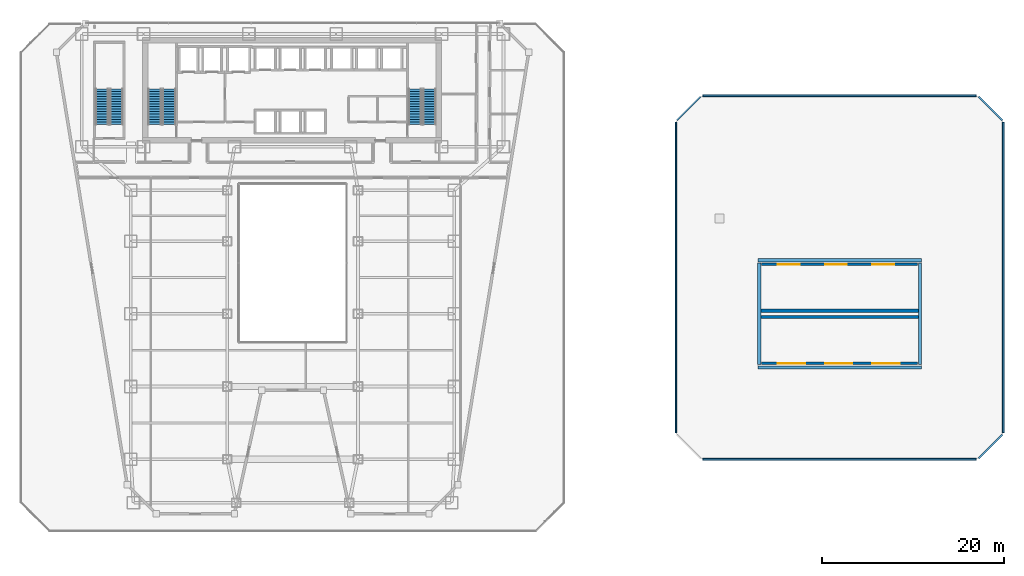
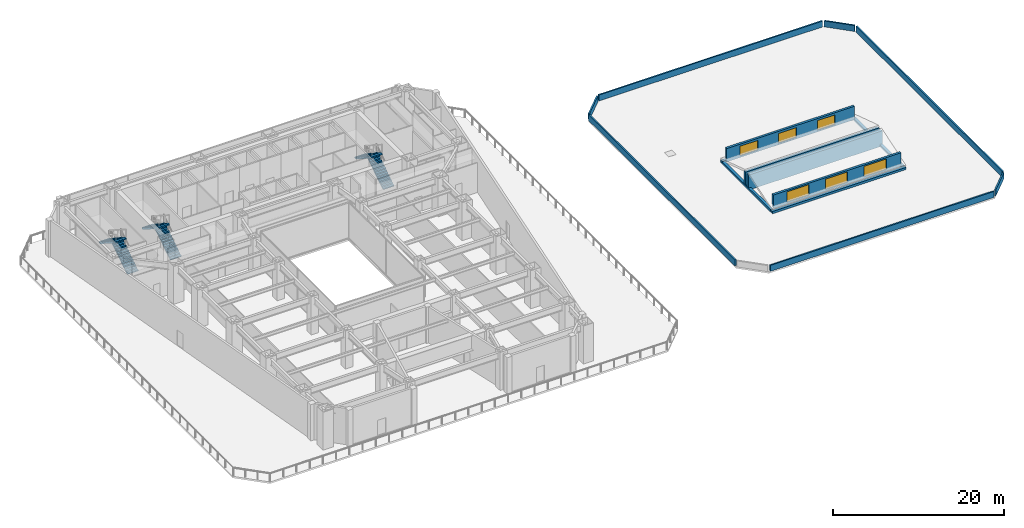
# One storey, part 24 of 29: 15 walls, 6 stair flights, 6 windows, 6 openings, 3 elements without a shape of their own.
"""IFC4 building model written with IfcOpenShell, lengths in metres."""

import ifcopenshell
import ifcopenshell.guid

model = None  # the IFC model being written
_history = None  # IfcOwnerHistory: only IFC2X3 demands one
_inside = {}  # id of a spatial element -> (the spatial element, [elements in it])
_under = {}  # id of a project, library or spatial element -> (it, [spatial elements below it])
_declared = {}  # id of a project -> (the project, [libraries it declares])
_typed = {}  # id of a type object -> (the type object, [elements of that type])
_made_of = {}  # id of a material, layer set ... -> (it, [elements and type objects made of it])


def new_model(schema):
    """Start an empty IFC model of exactly this schema.

    Asked for "IFC4X3", IfcOpenShell would pick the latest addendum, in which some entities
    have other attributes; the version numbers below select the first issue.
    IFC2X3 requires an IfcOwnerHistory on every rooted entity: one is made here for all.
    """
    global model, _history
    if schema == "IFC4X3":
        model = ifcopenshell.file(schema_version=(4, 3, 0, 0))
    else:
        model = ifcopenshell.file(schema=schema)
    _inside.clear()
    _under.clear()
    _declared.clear()
    _typed.clear()
    _made_of.clear()
    _history = None
    if model.schema == "IFC2X3":
        org = make("IfcOrganization", Name="unknown")
        user = make(
            "IfcPersonAndOrganization",
            ThePerson=make("IfcPerson", FamilyName="unknown"),
            TheOrganization=org,
        )
        app = make(
            "IfcApplication",
            ApplicationDeveloper=org,
            Version="unknown",
            ApplicationFullName="unknown",
            ApplicationIdentifier="unknown",
        )
        _history = make(
            "IfcOwnerHistory",
            OwningUser=user,
            OwningApplication=app,
            ChangeAction="ADDED",
            CreationDate=0,
        )
    return model


def make(cls, **values):
    """One entity of the class cls with the attributes given. An attribute that is None is left unset."""
    return model.create_entity(
        cls, **{name: value for name, value in values.items() if value is not None}
    )


def rooted(cls, **values):
    """An entity with a GlobalId (a new one), such as an element, a storey or a relation."""
    return make(cls, GlobalId=ifcopenshell.guid.new(), OwnerHistory=_history, **values)


def si_unit(unit_type, name, prefix=None):
    """IfcSIUnit, for example si_unit("LENGTHUNIT", "METRE", prefix="MILLI")."""
    return make("IfcSIUnit", UnitType=unit_type, Prefix=prefix, Name=name)


def assignment(units):
    """IfcUnitAssignment: the units of a project."""
    return None if units is None else make("IfcUnitAssignment", Units=units)


def point(xyz):
    """IfcCartesianPoint."""
    return None if xyz is None else make("IfcCartesianPoint", Coordinates=xyz)


def direction(xyz):
    """IfcDirection."""
    return None if xyz is None else make("IfcDirection", DirectionRatios=xyz)


def frame(location, z_axis=None, x_axis=None):
    """IfcAxis2Placement3D, a coordinate frame: its origin and axes. An axis left out is left unset."""
    return make(
        "IfcAxis2Placement3D",
        Location=point(location),
        Axis=direction(z_axis),
        RefDirection=direction(x_axis),
    )


def frame_2d(location, x_axis=None):
    """IfcAxis2Placement2D, a coordinate frame in the plane: its origin and x axis."""
    return make(
        "IfcAxis2Placement2D", Location=point(location), RefDirection=direction(x_axis)
    )


def origin():
    """The frame at (0, 0, 0) with its axes left unset."""
    return frame((0.0, 0.0, 0.0))


def place(relative_to, where):
    """IfcLocalPlacement: puts the frame where relative to a parent placement (None: the world)."""
    return make(
        "IfcLocalPlacement", PlacementRelTo=relative_to, RelativePlacement=where
    )


def context(
    kind, dimensions, precision=None, world=None, true_north=None, identifier=None
):
    """IfcGeometricRepresentationContext, for example the 3D "Model" context."""
    return make(
        "IfcGeometricRepresentationContext",
        ContextIdentifier=identifier,
        ContextType=kind,
        CoordinateSpaceDimension=dimensions,
        Precision=precision,
        WorldCoordinateSystem=world,
        TrueNorth=true_north,
    )


def subcontext(parent, identifier, kind, view, scale=None):
    """IfcGeometricRepresentationSubContext, for example "Body" below "Model"."""
    return make(
        "IfcGeometricRepresentationSubContext",
        ContextIdentifier=identifier,
        ContextType=kind,
        ParentContext=parent,
        TargetScale=scale,
        TargetView=view,
    )


def project(units=None, contexts=None):
    """IfcProject with its units and contexts."""
    return rooted(
        "IfcProject",
        Name="project",
        RepresentationContexts=contexts,
        UnitsInContext=assignment(units),
    )


def spatial(cls, under=None, at=None, **own):
    """A site, building, storey or space (cls), placed at a placement, below another one or the project."""
    s = rooted(cls, ObjectPlacement=at, **own)
    if under is not None:
        _under.setdefault(under.id(), (under, []))[1].append(s)
    return s


def polyline(points):
    """IfcPolyline through the points."""
    return make("IfcPolyline", Points=[point(p) for p in points])


def profile(cls, at=None, kind="AREA", **sizes):
    """A parametric profile (cls). Its sizes go by their IFC names, for example OverallWidth=200.0."""
    return make(cls, ProfileType=kind, Position=at, **sizes)


def rectangle(**sizes):
    """IfcRectangleProfileDef."""
    return profile("IfcRectangleProfileDef", **sizes)


def outline(outer, holes=None, kind="AREA"):
    """IfcArbitraryClosedProfileDef: a profile drawn as a closed curve; with holes, ...WithVoids."""
    if holes is None:
        return make("IfcArbitraryClosedProfileDef", ProfileType=kind, OuterCurve=outer)
    return make(
        "IfcArbitraryProfileDefWithVoids",
        ProfileType=kind,
        OuterCurve=outer,
        InnerCurves=holes,
    )


def extrude(swept, where, along, depth):
    """IfcExtrudedAreaSolid: the profile swept, set in the frame where, extruded along a direction by depth."""
    return make(
        "IfcExtrudedAreaSolid",
        SweptArea=swept,
        Position=where,
        ExtrudedDirection=direction(along),
        Depth=depth,
    )


def shape(context_of_items, identifier, shape_type, items):
    """IfcShapeRepresentation: the items that make up one representation, for example the "Body"."""
    return make(
        "IfcShapeRepresentation",
        ContextOfItems=context_of_items,
        RepresentationIdentifier=identifier,
        RepresentationType=shape_type,
        Items=items,
    )


def material(Name=None, Category=None):
    """IfcMaterial."""
    return make("IfcMaterial", Name=Name, Category=Category)


def layer(
    of_material, thickness, ventilated=None, Name=None, Category=None, Priority=None
):
    """IfcMaterialLayer: one layer of a wall or slab, of a material (None: an air gap)."""
    return make(
        "IfcMaterialLayer",
        Material=of_material,
        LayerThickness=thickness,
        IsVentilated=ventilated,
        Name=Name,
        Category=Category,
        Priority=Priority,
    )


def layer_set(layers, Name=None):
    """IfcMaterialLayerSet."""
    return make("IfcMaterialLayerSet", MaterialLayers=layers, LayerSetName=Name)


def made_of(thing, what):
    """Note that an element or type object is made of a material, layer set ...; save() writes the relation."""
    if what is not None:
        _made_of.setdefault(what.id(), (what, []))[1].append(thing)
    return thing


def type_object(cls, material=None, **own):
    """A type object (cls), such as IfcWallType, which elements share."""
    return made_of(rooted(cls, **own), material)


def element(
    cls,
    number,
    at=None,
    inside=None,
    cuts=None,
    type_object=None,
    material=None,
    context=None,
    identifier="Body",
    shape_type=None,
    held_by="IfcProductDefinitionShape",
    body=None,
    shapes=None,
    **own,
):
    """One element of the class cls, such as IfcWall. Its Tag is "e" and its number.

    at: its placement. inside: the storey or other place that contains it. cuts: it is an
    opening in that element (IfcRelVoidsElement). A single representation is given by context,
    identifier, shape_type and body (its items); several are given by shapes. held_by: the class
    of the entity that holds the representations. save() writes the other relations.
    """
    e = rooted(cls, Tag="e%d" % number, ObjectPlacement=at, **own)
    if body is not None:
        shapes = [shape(context, identifier, shape_type, body)]
    if shapes is not None:
        e.Representation = make(held_by, Representations=shapes)
    if inside is not None:
        _inside.setdefault(inside.id(), (inside, []))[1].append(e)
    if cuts is not None:
        rooted(
            "IfcRelVoidsElement", RelatingBuildingElement=cuts, RelatedOpeningElement=e
        )
    if type_object is not None:
        _typed.setdefault(type_object.id(), (type_object, []))[1].append(e)
    return made_of(e, material)


def fill(opening, filler):
    """IfcRelFillsElement: the door or window that sits in an opening."""
    return rooted(
        "IfcRelFillsElement",
        RelatingOpeningElement=opening,
        RelatedBuildingElement=filler,
    )


def aggregate(whole, parts):
    """IfcRelAggregates: a whole, such as a stair, and the parts it consists of."""
    return rooted("IfcRelAggregates", RelatingObject=whole, RelatedObjects=parts)


def save(model, path):
    """Write the relations noted so far, then the file.

    IfcRelAggregates (storeys below a building ...), IfcRelContainedInSpatialStructure (elements
    in a storey), IfcRelDefinesByType, IfcRelAssociatesMaterial and IfcRelDeclares: one each for
    every whole, place, type object, material and project.
    """
    for whole, parts in _under.values():
        aggregate(whole, parts)
    for where, things in _inside.values():
        rooted(
            "IfcRelContainedInSpatialStructure",
            RelatedElements=things,
            RelatingStructure=where,
        )
    for kind, things in _typed.values():
        rooted("IfcRelDefinesByType", RelatedObjects=things, RelatingType=kind)
    for what, things in _made_of.values():
        rooted("IfcRelAssociatesMaterial", RelatedObjects=things, RelatingMaterial=what)
    for by, libraries in _declared.values():
        rooted("IfcRelDeclares", RelatingContext=by, RelatedDefinitions=libraries)
    model.write(path)


model = new_model("IFC4")

# Units and contexts
model_context = context("Model", 3, precision=1e-05, world=origin(), true_north=direction((0.0, 1.0)))
body_context = subcontext(model_context, "Body", "Model", "MODEL_VIEW")
ifc_project = project(units=[si_unit("LENGTHUNIT", "METRE"), si_unit("AREAUNIT", "SQUARE_METRE"), si_unit("VOLUMEUNIT", "CUBIC_METRE"), si_unit("PLANEANGLEUNIT", "RADIAN"), si_unit("MASSUNIT", "GRAM", prefix="KILO")], contexts=[model_context])

# Site, building, storey
site_placement = place(None, origin())
site = spatial("IfcSite", under=ifc_project, at=site_placement, CompositionType="ELEMENT")
building_placement = place(site_placement, origin())
building = spatial("IfcBuilding", under=site, at=building_placement, Name="Saevonmaru Cultural Tower", CompositionType="ELEMENT")
storey_placement = place(building_placement, frame((0.0, 0.0, 27.60009765625)))
storey = spatial("IfcBuildingStorey", under=building, at=storey_placement, Name="L05", CompositionType="ELEMENT", Elevation=27.60009765625)

# Wall, openings, windows
ifc_material_1 = material(Name="Warm Limestone Precast Concrete C40/50", Category="masonry")
ifc_layer_1 = layer(ifc_material_1, 0.300048828125, Name="Warm Limestone Precast Concrete C40/50")
ifc_layer_set_1 = layer_set([ifc_layer_1], Name="Warm Limestone Precast Concrete C40/50")
wall_type_1 = type_object("IfcWallType", Name="WL-EXT-LIB-300", PredefinedType="STANDARD", material=ifc_layer_set_1)
wall_1_placement = place(storey_placement, frame((81.60009765625, 18.550048828125, 0.349853515625), z_axis=(0.0, 0.0, 1.0), x_axis=(1.0, 0.0, 0.0)))
wall_1 = element("IfcWall", 1, at=wall_1_placement, inside=storey, type_object=wall_type_1, Name="Library Vaulted Reading Hall Clerestory Wall S", PredefinedType="STANDARD", context=body_context, shape_type="SweptSolid", body=[
    extrude(rectangle(XDim=17.199951171875, YDim=0.300048828125, at=frame_2d((8.60009765625, 0.0))), origin(), (0.0, 0.0, 1.0), 1.900146484375),
])
opening_1_placement = place(wall_1_placement, frame((1.800048828125, 0.0, 0.199951171875)))
opening_1 = element("IfcOpeningElement", 2, at=opening_1_placement, cuts=wall_1, Name="Opening W-4", PredefinedType="OPENING", context=body_context, shape_type="SweptSolid", body=[
    extrude(rectangle(XDim=3.0, YDim=1.5, at=frame_2d((1.5, 0.75))), frame((0.0, 0.16015625, 0.0), z_axis=(0.0, -1.0, 0.0), x_axis=(1.0, 0.0, 0.0)), (0.0, 0.0, 1.0), 0.320068359375),
])
opening_2_placement = place(wall_1_placement, frame((7.0, 0.0, 0.199951171875)))
opening_2 = element("IfcOpeningElement", 3, at=opening_2_placement, cuts=wall_1, Name="Opening W-4", PredefinedType="OPENING", context=body_context, shape_type="SweptSolid", body=[
    extrude(rectangle(XDim=3.0, YDim=1.5, at=frame_2d((1.5, 0.75))), frame((0.0, 0.16015625, 0.0), z_axis=(0.0, -1.0, 0.0), x_axis=(1.0, 0.0, 0.0)), (0.0, 0.0, 1.0), 0.320068359375),
])
opening_3_placement = place(wall_1_placement, frame((12.199951171875, 0.0, 0.199951171875)))
opening_3 = element("IfcOpeningElement", 4, at=opening_3_placement, cuts=wall_1, Name="Opening W-4", PredefinedType="OPENING", context=body_context, shape_type="SweptSolid", body=[
    extrude(rectangle(XDim=3.0, YDim=1.5, at=frame_2d((1.5, 0.75))), frame((0.0, 0.16015625, 0.0), z_axis=(0.0, -1.0, 0.0), x_axis=(1.0, 0.0, 0.0)), (0.0, 0.0, 1.0), 0.320068359375),
])
ifc_material_2 = material(Name="Satin Bronze Anodised Aluminium", Category="aluminium")
window_type_1 = type_object("IfcWindowType", Name="WN-CLER-3000x1500", PartitioningType="TRIPLE_PANEL_HORIZONTAL", PredefinedType="WINDOW", material=ifc_material_2)
window_1_placement = place(opening_1_placement, origin())
window_1 = element("IfcWindow", 5, at=window_1_placement, inside=storey, type_object=window_type_1, Name="Library Clerestory Window S-1", OverallHeight=1.5, OverallWidth=3.0, PartitioningType="TRIPLE_PANEL_HORIZONTAL", PredefinedType="WINDOW", context=body_context, shape_type="SweptSolid", body=[
    extrude(rectangle(XDim=3.0, YDim=1.5, at=frame_2d((1.5, 0.75))), frame((0.0, 0.030029296875, 0.0), z_axis=(0.0, -1.0, 0.0), x_axis=(1.0, 0.0, 0.0)), (0.0, 0.0, 1.0), 0.06005859375),
])
fill(opening_1, window_1)
window_2_placement = place(opening_2_placement, origin())
window_2 = element("IfcWindow", 6, at=window_2_placement, inside=storey, type_object=window_type_1, Name="Library Clerestory Window S-2", OverallHeight=1.5, OverallWidth=3.0, PartitioningType="TRIPLE_PANEL_HORIZONTAL", PredefinedType="WINDOW", context=body_context, shape_type="SweptSolid", body=[
    extrude(rectangle(XDim=3.0, YDim=1.5, at=frame_2d((1.5, 0.75))), frame((0.0, 0.030029296875, 0.0), z_axis=(0.0, -1.0, 0.0), x_axis=(1.0, 0.0, 0.0)), (0.0, 0.0, 1.0), 0.06005859375),
])
fill(opening_2, window_2)
window_3_placement = place(opening_3_placement, origin())
window_3 = element("IfcWindow", 7, at=window_3_placement, inside=storey, type_object=window_type_1, Name="Library Clerestory Window S-3", OverallHeight=1.5, OverallWidth=3.0, PartitioningType="TRIPLE_PANEL_HORIZONTAL", PredefinedType="WINDOW", context=body_context, shape_type="SweptSolid", body=[
    extrude(rectangle(XDim=3.0, YDim=1.5, at=frame_2d((1.5, 0.75))), frame((0.0, 0.030029296875, 0.0), z_axis=(0.0, -1.0, 0.0), x_axis=(1.0, 0.0, 0.0)), (0.0, 0.0, 1.0), 0.06005859375),
])
fill(opening_3, window_3)

wall_2_placement = place(storey_placement, frame((81.60009765625, 29.449951171875, 0.349853515625), z_axis=(0.0, 0.0, 1.0), x_axis=(1.0, 0.0, 0.0)))
wall_2 = element("IfcWall", 8, at=wall_2_placement, inside=storey, type_object=wall_type_1, Name="Library Vaulted Reading Hall Clerestory Wall N", PredefinedType="STANDARD", context=body_context, shape_type="SweptSolid", body=[
    extrude(rectangle(XDim=17.199951171875, YDim=0.300048828125, at=frame_2d((8.60009765625, 0.0))), origin(), (0.0, 0.0, 1.0), 1.900146484375),
])
opening_4_placement = place(wall_2_placement, frame((1.800048828125, 0.0, 0.199951171875)))
opening_4 = element("IfcOpeningElement", 9, at=opening_4_placement, cuts=wall_2, Name="Opening W-4B", PredefinedType="OPENING", context=body_context, shape_type="SweptSolid", body=[
    extrude(rectangle(XDim=2.39990234375, YDim=1.39990234375, at=frame_2d((1.199951171875, 0.699951171875))), frame((0.0, 0.16015625, 0.0), z_axis=(0.0, -1.0, 0.0), x_axis=(1.0, 0.0, 0.0)), (0.0, 0.0, 1.0), 0.320068359375),
])
opening_5_placement = place(wall_2_placement, frame((7.0, 0.0, 0.199951171875)))
opening_5 = element("IfcOpeningElement", 10, at=opening_5_placement, cuts=wall_2, Name="Opening W-4B", PredefinedType="OPENING", context=body_context, shape_type="SweptSolid", body=[
    extrude(rectangle(XDim=2.39990234375, YDim=1.39990234375, at=frame_2d((1.199951171875, 0.699951171875))), frame((0.0, 0.16015625, 0.0), z_axis=(0.0, -1.0, 0.0), x_axis=(1.0, 0.0, 0.0)), (0.0, 0.0, 1.0), 0.320068359375),
])
opening_6_placement = place(wall_2_placement, frame((12.199951171875, 0.0, 0.199951171875)))
opening_6 = element("IfcOpeningElement", 11, at=opening_6_placement, cuts=wall_2, Name="Opening W-4B", PredefinedType="OPENING", context=body_context, shape_type="SweptSolid", body=[
    extrude(rectangle(XDim=2.39990234375, YDim=1.39990234375, at=frame_2d((1.199951171875, 0.699951171875))), frame((0.0, 0.16015625, 0.0), z_axis=(0.0, -1.0, 0.0), x_axis=(1.0, 0.0, 0.0)), (0.0, 0.0, 1.0), 0.320068359375),
])
window_type_2 = type_object("IfcWindowType", Name="WN-CLER-2400x1400", PartitioningType="DOUBLE_PANEL_HORIZONTAL", PredefinedType="WINDOW", material=ifc_material_2)
window_4_placement = place(opening_4_placement, origin())
window_4 = element("IfcWindow", 12, at=window_4_placement, inside=storey, type_object=window_type_2, Name="Library Clerestory Window N-1", OverallHeight=1.39990234375, OverallWidth=2.39990234375, PartitioningType="DOUBLE_PANEL_HORIZONTAL", PredefinedType="WINDOW", context=body_context, shape_type="SweptSolid", body=[
    extrude(rectangle(XDim=2.39990234375, YDim=1.39990234375, at=frame_2d((1.199951171875, 0.699951171875))), frame((0.0, 0.030029296875, 0.0), z_axis=(0.0, -1.0, 0.0), x_axis=(1.0, 0.0, 0.0)), (0.0, 0.0, 1.0), 0.06005859375),
])
fill(opening_4, window_4)
window_5_placement = place(opening_5_placement, origin())
window_5 = element("IfcWindow", 13, at=window_5_placement, inside=storey, type_object=window_type_2, Name="Library Clerestory Window N-2", OverallHeight=1.39990234375, OverallWidth=2.39990234375, PartitioningType="DOUBLE_PANEL_HORIZONTAL", PredefinedType="WINDOW", context=body_context, shape_type="SweptSolid", body=[
    extrude(rectangle(XDim=2.39990234375, YDim=1.39990234375, at=frame_2d((1.199951171875, 0.699951171875))), frame((0.0, 0.030029296875, 0.0), z_axis=(0.0, -1.0, 0.0), x_axis=(1.0, 0.0, 0.0)), (0.0, 0.0, 1.0), 0.06005859375),
])
fill(opening_5, window_5)
window_6_placement = place(opening_6_placement, origin())
window_6 = element("IfcWindow", 14, at=window_6_placement, inside=storey, type_object=window_type_2, Name="Library Clerestory Window N-3", OverallHeight=1.39990234375, OverallWidth=2.39990234375, PartitioningType="DOUBLE_PANEL_HORIZONTAL", PredefinedType="WINDOW", context=body_context, shape_type="SweptSolid", body=[
    extrude(rectangle(XDim=2.39990234375, YDim=1.39990234375, at=frame_2d((1.199951171875, 0.699951171875))), frame((0.0, 0.030029296875, 0.0), z_axis=(0.0, -1.0, 0.0), x_axis=(1.0, 0.0, 0.0)), (0.0, 0.0, 1.0), 0.06005859375),
])
fill(opening_6, window_6)

# Walls
ifc_material_3 = material(Name="Precast concrete C40/50", Category="concrete")
ifc_layer_2 = layer(ifc_material_3, 0.18994140625, Name="Precast concrete C40/50")
ifc_layer_set_2 = layer_set([ifc_layer_2], Name="Precast concrete C40/50")
wall_type_2 = type_object("IfcWallType", Name="WL-PARAPET-190", PredefinedType="PARAPET", material=ifc_layer_set_2)
wall_3_placement = place(storey_placement, frame((75.139892578125, 8.0, 0.0), z_axis=(0.0, 0.0, 1.0), x_axis=(1.0, 0.0, 0.0)))
element("IfcWall", 15, at=wall_3_placement, inside=storey, type_object=wall_type_2, Name="Central Library Roof Parapet Wall E2", PredefinedType="PARAPET", context=body_context, shape_type="SweptSolid", body=[
    extrude(rectangle(XDim=30.1201171875, YDim=0.18994140625, at=frame_2d((15.06005859375, 0.0))), origin(), (0.0, 0.0, 1.0), 0.849853515625),
])
wall_4_placement = place(storey_placement, frame((105.4990234375, 8.09912109375, 0.0), z_axis=(0.0, 0.0, 1.0), x_axis=(0.707139954548, 0.707073606269, 0.0)))
element("IfcWall", 16, at=wall_4_placement, inside=storey, type_object=wall_type_2, Name="Central Library Roof Parapet Wall E3", PredefinedType="PARAPET", context=body_context, shape_type="SweptSolid", body=[
    extrude(rectangle(XDim=3.6796875, YDim=0.18994140625, at=frame_2d((1.83984375, 0.0))), origin(), (0.0, 0.0, 1.0), 0.849853515625),
])
wall_5_placement = place(storey_placement, frame((108.199951171875, 10.93994140625, 0.0), z_axis=(0.0, 0.0, 1.0), x_axis=(0.0, 1.0, 0.0)))
element("IfcWall", 17, at=wall_5_placement, inside=storey, type_object=wall_type_2, Name="Central Library Roof Parapet Wall E4", PredefinedType="PARAPET", context=body_context, shape_type="SweptSolid", body=[
    extrude(rectangle(XDim=34.1201171875, YDim=0.18994140625, at=frame_2d((17.06005859375, 0.0))), origin(), (0.0, 0.0, 1.0), 0.849853515625),
])
wall_6_placement = place(storey_placement, frame((108.10107421875, 45.299072265625, 0.0), z_axis=(0.0, 0.0, 1.0), x_axis=(-0.707139954548, 0.707073606269, 0.0)))
element("IfcWall", 18, at=wall_6_placement, inside=storey, type_object=wall_type_2, Name="Central Library Roof Parapet Wall E5", PredefinedType="PARAPET", context=body_context, shape_type="SweptSolid", body=[
    extrude(rectangle(XDim=3.6796875, YDim=0.18994140625, at=frame_2d((1.83984375, 0.0))), origin(), (0.0, 0.0, 1.0), 0.849853515625),
])
wall_7_placement = place(storey_placement, frame((105.260009765625, 48.0, 0.0), z_axis=(0.0, 0.0, 1.0), x_axis=(-1.0, 0.0, 0.0)))
element("IfcWall", 19, at=wall_7_placement, inside=storey, type_object=wall_type_2, Name="Central Library Roof Parapet Wall E6", PredefinedType="PARAPET", context=body_context, shape_type="SweptSolid", body=[
    extrude(rectangle(XDim=30.1201171875, YDim=0.18994140625, at=frame_2d((15.06005859375, 0.0))), origin(), (0.0, 0.0, 1.0), 0.849853515625),
])
wall_8_placement = place(storey_placement, frame((74.90087890625, 47.90087890625, 0.0), z_axis=(0.0, 0.0, 1.0), x_axis=(-0.707106781187, -0.707106781187, 0.0)))
element("IfcWall", 20, at=wall_8_placement, inside=storey, type_object=wall_type_2, Name="Central Library Roof Parapet Wall E7", PredefinedType="PARAPET", context=body_context, shape_type="SweptSolid", body=[
    extrude(rectangle(XDim=3.679443359375, YDim=0.18994140625, at=frame_2d((1.83984375, 0.0))), origin(), (0.0, 0.0, 1.0), 0.849853515625),
])
wall_9_placement = place(storey_placement, frame((72.199951171875, 45.06005859375, 0.0), z_axis=(0.0, 0.0, 1.0), x_axis=(0.0, -1.0, 0.0)))
element("IfcWall", 21, at=wall_9_placement, inside=storey, type_object=wall_type_2, Name="Central Library Roof Parapet Wall E8", PredefinedType="PARAPET", context=body_context, shape_type="SweptSolid", body=[
    extrude(rectangle(XDim=34.1201171875, YDim=0.18994140625, at=frame_2d((17.06005859375, 0.0))), origin(), (0.0, 0.0, 1.0), 0.849853515625),
])
ifc_material_4 = material(Name="Concrete C40/50", Category="concrete")
ifc_layer_3 = layer(ifc_material_4, 0.35009765625, Name="Concrete C40/50")
ifc_layer_set_3 = layer_set([ifc_layer_3], Name="Concrete C40/50")
wall_type_3 = type_object("IfcWallType", Name="WL-VAULT-350", PredefinedType="SHEAR", material=ifc_layer_set_3)
wall_10_placement = place(storey_placement, frame((81.199951171875, 18.10009765625, 0.0), z_axis=(0.0, 0.0, 1.0), x_axis=(1.0, 0.0, 0.0)))
element("IfcWall", 22, at=wall_10_placement, inside=storey, type_object=wall_type_3, Name="L05 Library Vault Clerestory Support Wall S0", PredefinedType="SHEAR", context=body_context, shape_type="SweptSolid", body=[
    extrude(rectangle(XDim=18.0, YDim=0.35009765625, at=frame_2d((9.0, 0.0))), origin(), (0.0, 0.0, 1.0), 0.31982421875),
])
for number, where, z_axis, x_axis, name in (
    (23, (81.199951171875, 23.64990234375, 0.0), (0.0, 0.0, 1.0), (1.0, 0.0, 0.0), "L05 Library Vault Clerestory Support Wall SM"),
    (24, (81.199951171875, 24.35009765625, 0.0), (0.0, 0.0, 1.0), (1.0, 0.0, 0.0), "L05 Library Vault Clerestory Support Wall NM"),
):
    element("IfcWall", number, at=place(storey_placement, frame(where, z_axis=z_axis, x_axis=x_axis)), inside=storey, type_object=wall_type_3, Name=name, PredefinedType="SHEAR", context=body_context, shape_type="SweptSolid", body=[
        extrude(rectangle(XDim=18.0, YDim=0.35009765625, at=frame_2d((9.0, 0.0))), origin(), (0.0, 0.0, 1.0), 2.14990234375),
    ])
wall_11_placement = place(storey_placement, frame((81.199951171875, 29.89990234375, 0.0), z_axis=(0.0, 0.0, 1.0), x_axis=(1.0, 0.0, 0.0)))
element("IfcWall", 25, at=wall_11_placement, inside=storey, type_object=wall_type_3, Name="L05 Library Vault Clerestory Support Wall N0", PredefinedType="SHEAR", context=body_context, shape_type="SweptSolid", body=[
    extrude(rectangle(XDim=18.0, YDim=0.35009765625, at=frame_2d((9.0, 0.0))), origin(), (0.0, 0.0, 1.0), 0.31982421875),
])
for number, where, z_axis, x_axis, name in (
    (26, (81.35009765625, 18.39990234375, 0.0), (0.0, 0.0, 1.0), (0.0, 1.0, 0.0), "L05 Library Vault Gable Base Wall W"),
    (27, (99.050048828125, 18.39990234375, 0.0), (0.0, 0.0, 1.0), (0.0, 1.0, 0.0), "L05 Library Vault Gable Base Wall E"),
):
    element("IfcWall", number, at=place(storey_placement, frame(where, z_axis=z_axis, x_axis=x_axis)), inside=storey, type_object=wall_type_3, Name=name, PredefinedType="SHEAR", context=body_context, shape_type="SweptSolid", body=[
        extrude(rectangle(XDim=11.2001953125, YDim=0.35009765625, at=frame_2d((5.60009765625, 0.0))), origin(), (0.0, 0.0, 1.0), 0.31982421875),
    ])

# Stair, stair flights
stair_type = type_object("IfcStairType", Name="STR-DOGLEG-RC", PredefinedType="HALF_TURN_STAIR", material=ifc_material_4)
stair_1_placement = place(storey_placement, origin())
stair_1 = element("IfcStair", 28, at=stair_1_placement, inside=storey, type_object=stair_type, Name="L05 Protected exit stair ST-1", PredefinedType="HALF_TURN_STAIR")
stair_flight_type = type_object("IfcStairFlightType", Name="STF-PRECAST-180", PredefinedType="STRAIGHT", material=ifc_material_3)
stair_flight_1_placement = place(storey_placement, frame((16.425048828125, 44.85009765625, 0.0), z_axis=(0.0, 0.0, 1.0), x_axis=(0.0, 1.0, 0.0)))
stair_flight_1 = element("IfcStairFlight", 29, at=stair_flight_1_placement, type_object=stair_flight_type, Name="ST-1-L05 flight 1", NumberOfRisers=15, NumberOfTreads=14, PredefinedType="STRAIGHT", RiserHeight=0.18, TreadLength=0.28, context=body_context, shape_type="SweptSolid", body=[
    extrude(outline(polyline([(0.0, 0.0), (0.0, 0.179931640625), (0.280029296875, 0.179931640625), (0.280029296875, 0.360107421875), (0.56005859375, 0.360107421875), (0.56005859375, 0.5400390625), (0.840087890625, 0.5400390625), (0.840087890625, 0.719970703125), (1.1201171875, 0.719970703125), (1.1201171875, 0.89990234375), (1.39990234375, 0.89990234375), (1.39990234375, 1.080078125), (1.679931640625, 1.080078125), (1.679931640625, 1.260009765625), (1.9599609375, 1.260009765625), (1.9599609375, 1.43994140625), (2.239990234375, 1.43994140625), (2.239990234375, 1.6201171875), (2.52001953125, 1.6201171875), (2.52001953125, 1.800048828125), (2.800048828125, 1.800048828125), (2.800048828125, 1.97998046875), (3.080078125, 1.97998046875), (3.080078125, 2.159912109375), (3.360107421875, 2.159912109375), (3.360107421875, 2.340087890625), (3.639892578125, 2.340087890625), (3.639892578125, 2.52001953125), (3.919921875, 2.52001953125), (3.919921875, 2.699951171875), (3.919921875, 2.341796875), (0.277099609375, 0.0), (0.0, 0.0)])), frame((0.0, 0.72509765625, 0.0), z_axis=(0.0, -1.0, 0.0), x_axis=(1.0, 0.0, 0.0)), (0.0, 0.0, 1.0), 1.449951171875),
])
stair_flight_2_placement = place(storey_placement, frame((14.824951171875, 48.77001953125, 2.699951171875), z_axis=(0.0, 0.0, 1.0), x_axis=(0.0, -1.0, 0.0)))
stair_flight_2 = element("IfcStairFlight", 30, at=stair_flight_2_placement, type_object=stair_flight_type, Name="ST-1-L05 flight 2", NumberOfRisers=15, NumberOfTreads=14, PredefinedType="STRAIGHT", RiserHeight=0.18, TreadLength=0.28, context=body_context, shape_type="SweptSolid", body=[
    extrude(outline(polyline([(0.0, 0.0), (0.0, 0.179931640625), (0.280029296875, 0.179931640625), (0.280029296875, 0.360107421875), (0.56005859375, 0.360107421875), (0.56005859375, 0.5400390625), (0.840087890625, 0.5400390625), (0.840087890625, 0.719970703125), (1.1201171875, 0.719970703125), (1.1201171875, 0.89990234375), (1.39990234375, 0.89990234375), (1.39990234375, 1.080078125), (1.679931640625, 1.080078125), (1.679931640625, 1.260009765625), (1.9599609375, 1.260009765625), (1.9599609375, 1.43994140625), (2.239990234375, 1.43994140625), (2.239990234375, 1.6201171875), (2.52001953125, 1.6201171875), (2.52001953125, 1.800048828125), (2.800048828125, 1.800048828125), (2.800048828125, 1.97998046875), (3.080078125, 1.97998046875), (3.080078125, 2.159912109375), (3.360107421875, 2.159912109375), (3.360107421875, 2.340087890625), (3.639892578125, 2.340087890625), (3.639892578125, 2.52001953125), (3.919921875, 2.52001953125), (3.919921875, 2.699951171875), (3.919921875, 2.341796875), (0.277099609375, 0.0), (0.0, 0.0)])), frame((0.0, 0.72509765625, 0.0), z_axis=(0.0, -1.0, 0.0), x_axis=(1.0, 0.0, 0.0)), (0.0, 0.0, 1.0), 1.449951171875),
])
aggregate(stair_1, [stair_flight_1, stair_flight_2])

stair_2_placement = place(storey_placement, origin())
stair_2 = element("IfcStair", 31, at=stair_2_placement, inside=storey, type_object=stair_type, Name="L05 Protected exit stair ST-2", PredefinedType="HALF_TURN_STAIR")
stair_flight_3_placement = place(storey_placement, frame((45.074951171875, 44.85009765625, 0.0), z_axis=(0.0, 0.0, 1.0), x_axis=(0.0, 1.0, 0.0)))
stair_flight_3 = element("IfcStairFlight", 32, at=stair_flight_3_placement, type_object=stair_flight_type, Name="ST-2-L05 flight 1", NumberOfRisers=15, NumberOfTreads=14, PredefinedType="STRAIGHT", RiserHeight=0.18, TreadLength=0.28, context=body_context, shape_type="SweptSolid", body=[
    extrude(outline(polyline([(0.0, 0.0), (0.0, 0.179931640625), (0.280029296875, 0.179931640625), (0.280029296875, 0.360107421875), (0.56005859375, 0.360107421875), (0.56005859375, 0.5400390625), (0.840087890625, 0.5400390625), (0.840087890625, 0.719970703125), (1.1201171875, 0.719970703125), (1.1201171875, 0.89990234375), (1.39990234375, 0.89990234375), (1.39990234375, 1.080078125), (1.679931640625, 1.080078125), (1.679931640625, 1.260009765625), (1.9599609375, 1.260009765625), (1.9599609375, 1.43994140625), (2.239990234375, 1.43994140625), (2.239990234375, 1.6201171875), (2.52001953125, 1.6201171875), (2.52001953125, 1.800048828125), (2.800048828125, 1.800048828125), (2.800048828125, 1.97998046875), (3.080078125, 1.97998046875), (3.080078125, 2.159912109375), (3.360107421875, 2.159912109375), (3.360107421875, 2.340087890625), (3.639892578125, 2.340087890625), (3.639892578125, 2.52001953125), (3.919921875, 2.52001953125), (3.919921875, 2.699951171875), (3.919921875, 2.341796875), (0.277099609375, 0.0), (0.0, 0.0)])), frame((0.0, 0.72509765625, 0.0), z_axis=(0.0, -1.0, 0.0), x_axis=(1.0, 0.0, 0.0)), (0.0, 0.0, 1.0), 1.449951171875),
])
stair_flight_4_placement = place(storey_placement, frame((43.47509765625, 48.77001953125, 2.699951171875), z_axis=(0.0, 0.0, 1.0), x_axis=(0.0, -1.0, 0.0)))
stair_flight_4 = element("IfcStairFlight", 33, at=stair_flight_4_placement, type_object=stair_flight_type, Name="ST-2-L05 flight 2", NumberOfRisers=15, NumberOfTreads=14, PredefinedType="STRAIGHT", RiserHeight=0.18, TreadLength=0.28, context=body_context, shape_type="SweptSolid", body=[
    extrude(outline(polyline([(0.0, 0.0), (0.0, 0.179931640625), (0.280029296875, 0.179931640625), (0.280029296875, 0.360107421875), (0.56005859375, 0.360107421875), (0.56005859375, 0.5400390625), (0.840087890625, 0.5400390625), (0.840087890625, 0.719970703125), (1.1201171875, 0.719970703125), (1.1201171875, 0.89990234375), (1.39990234375, 0.89990234375), (1.39990234375, 1.080078125), (1.679931640625, 1.080078125), (1.679931640625, 1.260009765625), (1.9599609375, 1.260009765625), (1.9599609375, 1.43994140625), (2.239990234375, 1.43994140625), (2.239990234375, 1.6201171875), (2.52001953125, 1.6201171875), (2.52001953125, 1.800048828125), (2.800048828125, 1.800048828125), (2.800048828125, 1.97998046875), (3.080078125, 1.97998046875), (3.080078125, 2.159912109375), (3.360107421875, 2.159912109375), (3.360107421875, 2.340087890625), (3.639892578125, 2.340087890625), (3.639892578125, 2.52001953125), (3.919921875, 2.52001953125), (3.919921875, 2.699951171875), (3.919921875, 2.341796875), (0.277099609375, 0.0), (0.0, 0.0)])), frame((0.0, 0.72509765625, 0.0), z_axis=(0.0, -1.0, 0.0), x_axis=(1.0, 0.0, 0.0)), (0.0, 0.0, 1.0), 1.449951171875),
])
aggregate(stair_2, [stair_flight_3, stair_flight_4])

stair_3_placement = place(storey_placement, origin())
stair_3 = element("IfcStair", 34, at=stair_3_placement, inside=storey, type_object=stair_type, Name="L05 Protected exit stair ST-3", PredefinedType="HALF_TURN_STAIR")
stair_flight_5_placement = place(storey_placement, frame((10.625, 44.85009765625, 0.0), z_axis=(0.0, 0.0, 1.0), x_axis=(0.0, 1.0, 0.0)))
stair_flight_5 = element("IfcStairFlight", 35, at=stair_flight_5_placement, type_object=stair_flight_type, Name="ST-3-L05 flight 1", NumberOfRisers=15, NumberOfTreads=14, PredefinedType="STRAIGHT", RiserHeight=0.18, TreadLength=0.28, context=body_context, shape_type="SweptSolid", body=[
    extrude(outline(polyline([(0.0, 0.0), (0.0, 0.179931640625), (0.280029296875, 0.179931640625), (0.280029296875, 0.360107421875), (0.56005859375, 0.360107421875), (0.56005859375, 0.5400390625), (0.840087890625, 0.5400390625), (0.840087890625, 0.719970703125), (1.1201171875, 0.719970703125), (1.1201171875, 0.89990234375), (1.39990234375, 0.89990234375), (1.39990234375, 1.080078125), (1.679931640625, 1.080078125), (1.679931640625, 1.260009765625), (1.9599609375, 1.260009765625), (1.9599609375, 1.43994140625), (2.239990234375, 1.43994140625), (2.239990234375, 1.6201171875), (2.52001953125, 1.6201171875), (2.52001953125, 1.800048828125), (2.800048828125, 1.800048828125), (2.800048828125, 1.97998046875), (3.080078125, 1.97998046875), (3.080078125, 2.159912109375), (3.360107421875, 2.159912109375), (3.360107421875, 2.340087890625), (3.639892578125, 2.340087890625), (3.639892578125, 2.52001953125), (3.919921875, 2.52001953125), (3.919921875, 2.699951171875), (3.919921875, 2.341796875), (0.277099609375, 0.0), (0.0, 0.0)])), frame((0.0, 0.72509765625, 0.0), z_axis=(0.0, -1.0, 0.0), x_axis=(1.0, 0.0, 0.0)), (0.0, 0.0, 1.0), 1.449951171875),
])
stair_flight_6_placement = place(storey_placement, frame((9.02490234375, 48.77001953125, 2.699951171875), z_axis=(0.0, 0.0, 1.0), x_axis=(0.0, -1.0, 0.0)))
stair_flight_6 = element("IfcStairFlight", 36, at=stair_flight_6_placement, type_object=stair_flight_type, Name="ST-3-L05 flight 2", NumberOfRisers=15, NumberOfTreads=14, PredefinedType="STRAIGHT", RiserHeight=0.18, TreadLength=0.28, context=body_context, shape_type="SweptSolid", body=[
    extrude(outline(polyline([(0.0, 0.0), (0.0, 0.179931640625), (0.280029296875, 0.179931640625), (0.280029296875, 0.360107421875), (0.56005859375, 0.360107421875), (0.56005859375, 0.5400390625), (0.840087890625, 0.5400390625), (0.840087890625, 0.719970703125), (1.1201171875, 0.719970703125), (1.1201171875, 0.89990234375), (1.39990234375, 0.89990234375), (1.39990234375, 1.080078125), (1.679931640625, 1.080078125), (1.679931640625, 1.260009765625), (1.9599609375, 1.260009765625), (1.9599609375, 1.43994140625), (2.239990234375, 1.43994140625), (2.239990234375, 1.6201171875), (2.52001953125, 1.6201171875), (2.52001953125, 1.800048828125), (2.800048828125, 1.800048828125), (2.800048828125, 1.97998046875), (3.080078125, 1.97998046875), (3.080078125, 2.159912109375), (3.360107421875, 2.159912109375), (3.360107421875, 2.340087890625), (3.639892578125, 2.340087890625), (3.639892578125, 2.52001953125), (3.919921875, 2.52001953125), (3.919921875, 2.699951171875), (3.919921875, 2.341796875), (0.277099609375, 0.0), (0.0, 0.0)])), frame((0.0, 0.72509765625, 0.0), z_axis=(0.0, -1.0, 0.0), x_axis=(1.0, 0.0, 0.0)), (0.0, 0.0, 1.0), 1.449951171875),
])
aggregate(stair_3, [stair_flight_5, stair_flight_6])

save(model, "model.ifc")
